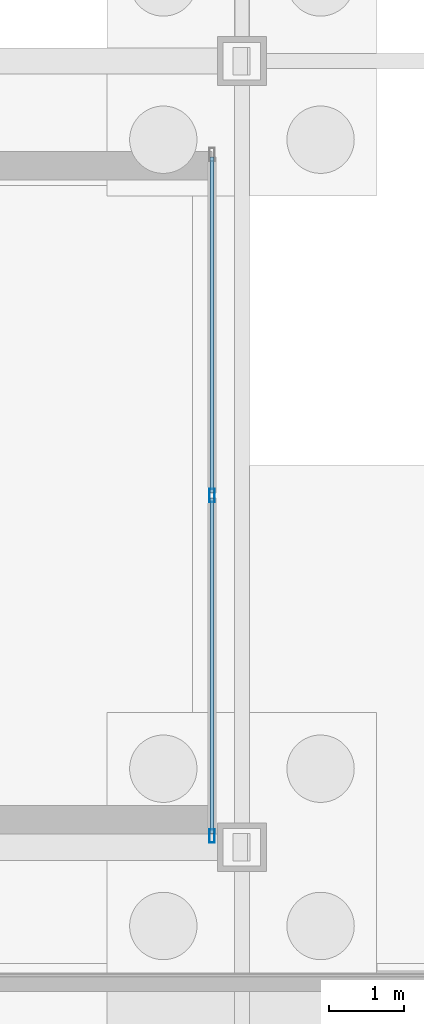
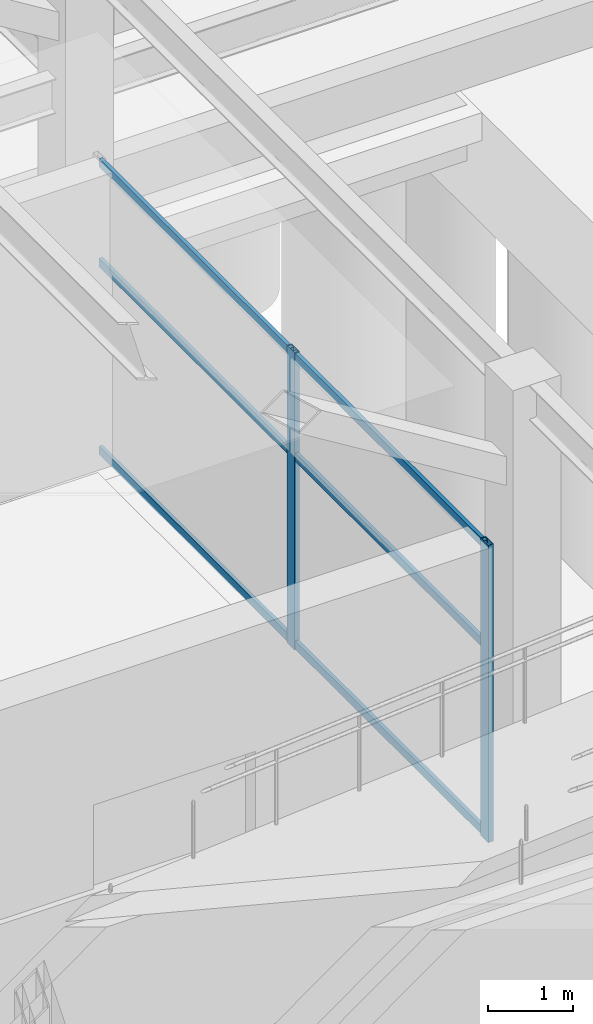
# One storey, part 54 of 160: 8 members, 1 element without a shape of its own.
"""IFC4 building model written with IfcOpenShell, lengths in metres."""

from ifc_helpers import new_model, si_unit, direction, frame, origin, origin_2d, place, context, subcontext, project, spatial, hollow_rectangle, extrude, material, layer, layer_set, material_profile, profile_set, type_object, element, aggregate, save


model = new_model("IFC4")

# Units and contexts
model_context = context("Model", 3, precision=1e-05, world=origin(), true_north=direction((0.0, 1.0)))
body_context = subcontext(model_context, "Body", "Model", "MODEL_VIEW")
ifc_project = project(units=[si_unit("LENGTHUNIT", "METRE"), si_unit("AREAUNIT", "SQUARE_METRE"), si_unit("VOLUMEUNIT", "CUBIC_METRE"), si_unit("PLANEANGLEUNIT", "RADIAN"), si_unit("MASSUNIT", "GRAM", prefix="KILO")], contexts=[model_context])

# Site, building, storey
site_placement = place(None, origin())
site = spatial("IfcSite", under=ifc_project, at=site_placement, CompositionType="ELEMENT")
building_placement = place(site_placement, origin())
building = spatial("IfcBuilding", under=site, at=building_placement, Name="Marlcrest Central Station", CompositionType="ELEMENT")
storey_placement = place(building_placement, origin())
storey = spatial("IfcBuildingStorey", under=building, at=storey_placement, Name="L00", CompositionType="ELEMENT", Elevation=0.0)

# Curtain wall, members
ifc_material_1 = material(Name="Anodised aluminium and hurricane laminated glass", Category="aluminium")
ifc_layer = layer(ifc_material_1, 0.179931640625, Name="CW-S1")
ifc_layer_set = layer_set([ifc_layer], Name="Anodised aluminium and hurricane laminated glass")
curtain_wall_type = type_object("IfcCurtainWallType", Name="CW-S1", PredefinedType="USERDEFINED", material=ifc_layer_set)
curtain_wall_placement = place(storey_placement, origin())
curtain_wall = element("IfcCurtainWall", 1, at=curtain_wall_placement, inside=storey, type_object=curtain_wall_type, Name="cw-L00-0148", ObjectType="STICK_CURTAIN_WALL", PredefinedType="USERDEFINED")
ifc_material_2 = material(Name="Anodised aluminium 6063-T6", Category="aluminium")
ifc_material_profile_1 = material_profile(ifc_material_2, hollow_rectangle(XDim=0.070068359375, YDim=0.179931640625, WallThickness=0.0048828125, at=origin_2d()), Name="AA-RHS 180x70x5")
ifc_profile_set_1 = profile_set([ifc_material_profile_1], Name="Anodised aluminium 6063-T6")
member_type_1 = type_object("IfcMemberType", Name="ML-02", PredefinedType="MULLION", material=ifc_profile_set_1)
member_1_placement = place(storey_placement, frame((62.60009765625, 27.199951171875, -0.030029296875), z_axis=(0.0, 0.0, 1.0), x_axis=(1.0, 0.0, 0.0)))
member_1 = element("IfcMember", 2, at=member_1_placement, type_object=member_type_1, Name="cw-L00-0148-ml-1", PredefinedType="MULLION", context=body_context, shape_type="SweptSolid", body=[
    extrude(hollow_rectangle(XDim=0.070068359375, YDim=0.179931640625, WallThickness=0.0048828125, at=origin_2d()), origin(), (0.0, 0.0, 1.0), 4.260009765625),
])
member_2_placement = place(storey_placement, frame((62.60009765625, 22.64990234375, -0.030029296875), z_axis=(0.0, 0.0, 1.0), x_axis=(1.0, 0.0, 0.0)))
member_2 = element("IfcMember", 3, at=member_2_placement, type_object=member_type_1, Name="cw-L00-0148-ml-2", PredefinedType="MULLION", context=body_context, shape_type="SweptSolid", body=[
    extrude(hollow_rectangle(XDim=0.070068359375, YDim=0.179931640625, WallThickness=0.0048828125, at=origin_2d()), origin(), (0.0, 0.0, 1.0), 4.260009765625),
])
ifc_material_profile_2 = material_profile(ifc_material_2, hollow_rectangle(XDim=0.050048828125, YDim=0.1201171875, WallThickness=0.00390625, at=origin_2d()), Name="AA-RHS 120x50x4")
ifc_profile_set_2 = profile_set([ifc_material_profile_2], Name="Anodised aluminium 6063-T6")
member_type_2 = type_object("IfcMemberType", Name="TR-02", PredefinedType="USERDEFINED", material=ifc_profile_set_2)
member_3_placement = place(storey_placement, frame((62.60009765625, 31.717041015625, 0.0400390625), z_axis=(0.0, -1.0, 0.0), x_axis=(1.0, 0.0, 0.0)))
member_3 = element("IfcMember", 4, at=member_3_placement, type_object=member_type_2, Name="cw-L00-0148-tr-0-sill", ObjectType="TRANSOM", PredefinedType="USERDEFINED", context=body_context, shape_type="SweptSolid", body=[
    extrude(hollow_rectangle(XDim=0.050048828125, YDim=0.1201171875, WallThickness=0.00390625, at=origin_2d()), origin(), (0.0, 0.0, 1.0), 4.484130859375),
])
member_4_placement = place(storey_placement, frame((62.60009765625, 31.717041015625, 2.72998046875), z_axis=(0.0, -1.0, 0.0), x_axis=(1.0, 0.0, 0.0)))
member_4 = element("IfcMember", 5, at=member_4_placement, type_object=member_type_2, Name="cw-L00-0148-tr-0-mid", ObjectType="TRANSOM", PredefinedType="USERDEFINED", context=body_context, shape_type="SweptSolid", body=[
    extrude(hollow_rectangle(XDim=0.050048828125, YDim=0.1201171875, WallThickness=0.00390625, at=origin_2d()), origin(), (0.0, 0.0, 1.0), 4.484130859375),
])
member_5_placement = place(storey_placement, frame((62.60009765625, 31.717041015625, 4.159912109375), z_axis=(0.0, -1.0, 0.0), x_axis=(1.0, 0.0, 0.0)))
member_5 = element("IfcMember", 6, at=member_5_placement, type_object=member_type_2, Name="cw-L00-0148-tr-0-head", ObjectType="TRANSOM", PredefinedType="USERDEFINED", context=body_context, shape_type="SweptSolid", body=[
    extrude(hollow_rectangle(XDim=0.050048828125, YDim=0.1201171875, WallThickness=0.00390625, at=origin_2d()), origin(), (0.0, 0.0, 1.0), 4.484130859375),
])
member_6_placement = place(storey_placement, frame((62.60009765625, 27.1669921875, 0.0400390625), z_axis=(0.0, -1.0, 0.0), x_axis=(1.0, 0.0, 0.0)))
member_6 = element("IfcMember", 7, at=member_6_placement, type_object=member_type_2, Name="cw-L00-0148-tr-1-sill", ObjectType="TRANSOM", PredefinedType="USERDEFINED", context=body_context, shape_type="SweptSolid", body=[
    extrude(hollow_rectangle(XDim=0.050048828125, YDim=0.1201171875, WallThickness=0.00390625, at=origin_2d()), origin(), (0.0, 0.0, 1.0), 4.48388671875),
])
member_7_placement = place(storey_placement, frame((62.60009765625, 27.1669921875, 2.72998046875), z_axis=(0.0, -1.0, 0.0), x_axis=(1.0, 0.0, 0.0)))
member_7 = element("IfcMember", 8, at=member_7_placement, type_object=member_type_2, Name="cw-L00-0148-tr-1-mid", ObjectType="TRANSOM", PredefinedType="USERDEFINED", context=body_context, shape_type="SweptSolid", body=[
    extrude(hollow_rectangle(XDim=0.050048828125, YDim=0.1201171875, WallThickness=0.00390625, at=origin_2d()), origin(), (0.0, 0.0, 1.0), 4.48388671875),
])
member_8_placement = place(storey_placement, frame((62.60009765625, 27.1669921875, 4.159912109375), z_axis=(0.0, -1.0, 0.0), x_axis=(1.0, 0.0, 0.0)))
member_8 = element("IfcMember", 9, at=member_8_placement, type_object=member_type_2, Name="cw-L00-0148-tr-1-head", ObjectType="TRANSOM", PredefinedType="USERDEFINED", context=body_context, shape_type="SweptSolid", body=[
    extrude(hollow_rectangle(XDim=0.050048828125, YDim=0.1201171875, WallThickness=0.00390625, at=origin_2d()), origin(), (0.0, 0.0, 1.0), 4.48388671875),
])
aggregate(curtain_wall, [member_1, member_2, member_3, member_4, member_5, member_6, member_7, member_8])

save(model, "model.ifc")
